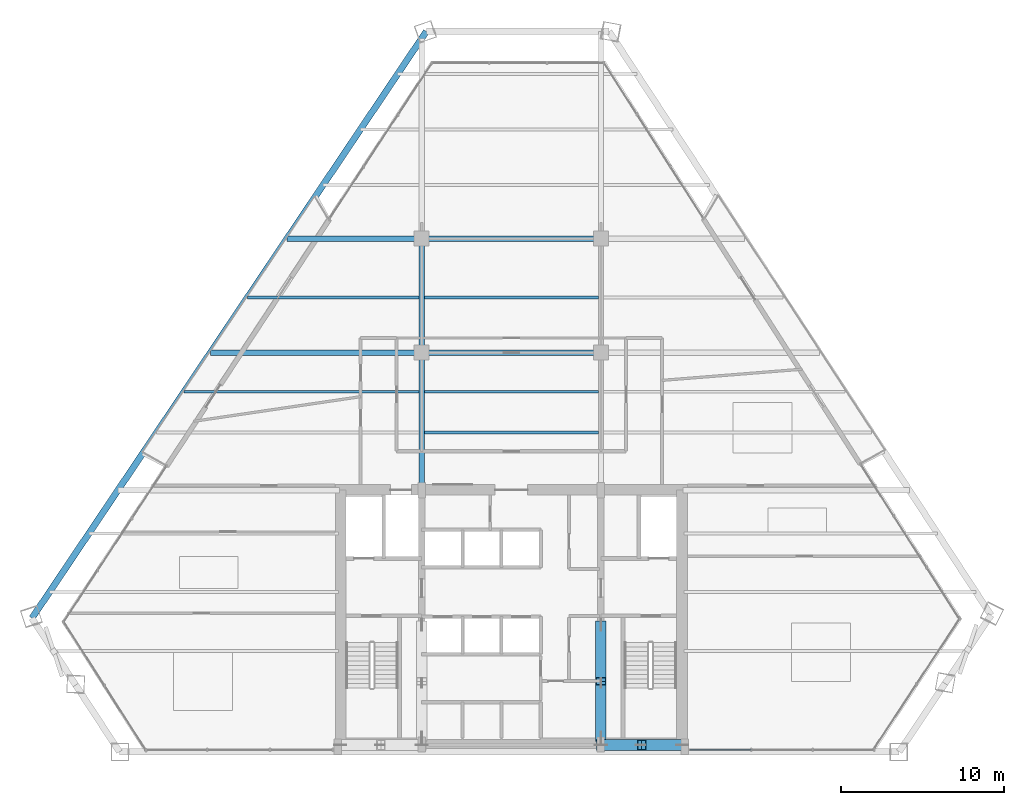
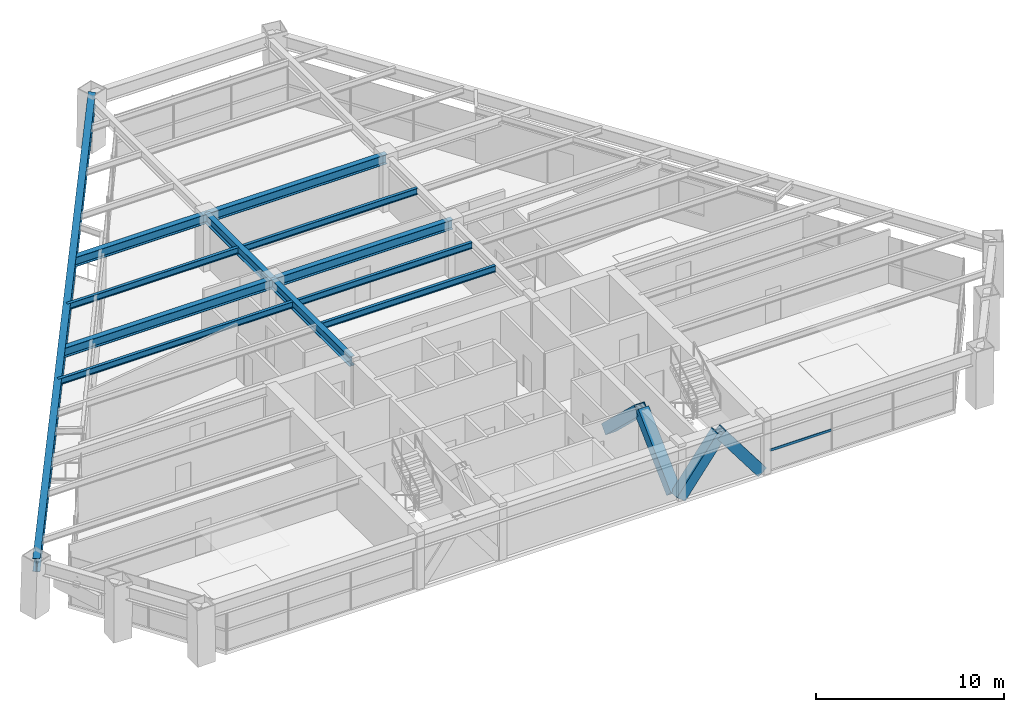
# One storey, part 5 of 14: 12 beams, 5 members, 1 element without a shape of its own.
"""IFC4 building model written with IfcOpenShell, lengths in metres."""

from ifc_helpers import new_model, si_unit, direction, frame, origin, origin_2d, place, context, subcontext, project, spatial, rectangle, hollow_rectangle, i_section, extrude, source, transform, mapped, material, material_profile, profile_set, type_object, type_shapes, element, aggregate, save


model = new_model("IFC4")

# Units and contexts
model_context = context("Model", 3, precision=1e-05, world=origin(), true_north=direction((0.0, 1.0)))
body_context = subcontext(model_context, "Body", "Model", "MODEL_VIEW")
ifc_project = project(units=[si_unit("LENGTHUNIT", "METRE"), si_unit("AREAUNIT", "SQUARE_METRE"), si_unit("VOLUMEUNIT", "CUBIC_METRE"), si_unit("PLANEANGLEUNIT", "RADIAN"), si_unit("MASSUNIT", "GRAM", prefix="KILO")], contexts=[model_context])

# Site, building, storey
site_placement = place(None, origin())
site = spatial("IfcSite", under=ifc_project, at=site_placement, CompositionType="ELEMENT")
building_placement = place(site_placement, origin())
building = spatial("IfcBuilding", under=site, at=building_placement, Name="Varnakhor Terracotta Tower", CompositionType="ELEMENT")
storey_placement = place(building_placement, frame((0.0, 0.0, 125.60009765625)))
storey = spatial("IfcBuildingStorey", under=building, at=storey_placement, Name="L31", CompositionType="ELEMENT", Elevation=125.60009765625)

# Beams
ifc_material_1 = material(Name="Steel S355", Category="steel")
ifc_material_profile_1 = material_profile(ifc_material_1, i_section(OverallWidth=0.324951171875, OverallDepth=0.615966796875, WebThickness=0.013916015625, FlangeThickness=0.02197265625, FilletRadius=0.01806640625, at=origin_2d()), Name="W24X117")
ifc_profile_set_1 = profile_set([ifc_material_profile_1], Name="Steel S355")
beam_type_1 = type_object("IfcBeamType", Name="BM-W24X117", PredefinedType="BEAM", material=ifc_profile_set_1)
shared_shape_1 = source(origin(), body_context, "Body", "SweptSolid", [
    extrude(i_section(OverallWidth=0.324951171875, OverallDepth=0.615966796875, WebThickness=0.013916015625, FlangeThickness=0.02197265625, FilletRadius=0.01806640625, at=origin_2d()), origin(), (0.0, 0.0, 1.0), 8.449951171875),
])
type_shapes(beam_type_1, [shared_shape_1])
beam_1_placement = place(storey_placement, frame((-5.5, 16.050048828125, 3.161865234375), z_axis=(0.0, 1.0, 0.0), x_axis=(-1.0, 0.0, 0.0)))
element("IfcBeam", 1, at=beam_1_placement, inside=storey, type_object=beam_type_1, Name="L31 Primary Girder NS1-W", PredefinedType="BEAM", context=body_context, shape_type="MappedRepresentation", body=[
    mapped(shared_shape_1, transform((0.0, 0.0, 0.0), scale=1.0)),
])
shared_shape_2 = source(origin(), body_context, "Body", "SweptSolid", [
    extrude(i_section(OverallWidth=0.324951171875, OverallDepth=0.615966796875, WebThickness=0.013916015625, FlangeThickness=0.02197265625, FilletRadius=0.01806640625, at=origin_2d()), origin(), (0.0, 0.0, 1.0), 7.0),
])
beam_2_placement = place(storey_placement, frame((-5.5, 24.5, 3.161865234375), z_axis=(0.0, 1.0, 0.0), x_axis=(-1.0, 0.0, 0.0)))
element("IfcBeam", 2, at=beam_2_placement, inside=storey, type_object=beam_type_1, Name="L31 Primary Girder NS2-W", PredefinedType="BEAM", context=body_context, shape_type="MappedRepresentation", body=[
    mapped(shared_shape_2, transform((0.0, 0.0, 0.0), scale=1.0)),
])
shared_shape_3 = source(origin(), body_context, "Body", "SweptSolid", [
    extrude(i_section(OverallWidth=0.324951171875, OverallDepth=0.615966796875, WebThickness=0.013916015625, FlangeThickness=0.02197265625, FilletRadius=0.01806640625, at=origin_2d()), origin(), (0.0, 0.0, 1.0), 11.0),
])
for number, where, z_axis, x_axis, name in (
    (3, (-5.5, 24.5, 3.161865234375), (1.0, 0.0, 0.0), (0.0, 1.0, 0.0), "L31 Primary Girder EW2-2"),
    (4, (-5.5, 31.5, 3.161865234375), (1.0, 0.0, 0.0), (0.0, 1.0, 0.0), "L31 Primary Girder EW3-2"),
):
    element("IfcBeam", number, at=place(storey_placement, frame(where, z_axis=z_axis, x_axis=x_axis)), inside=storey, type_object=beam_type_1, Name=name, PredefinedType="BEAM", context=body_context, shape_type="MappedRepresentation", body=[
        mapped(shared_shape_3, transform((0.0, 0.0, 0.0), scale=1.0)),
    ])
ifc_material_profile_2 = material_profile(ifc_material_1, i_section(OverallWidth=0.179931640625, OverallDepth=0.4130859375, WebThickness=0.009765625, FlangeThickness=0.01611328125, FilletRadius=0.01806640625, at=origin_2d()), Name="W16X50")
ifc_profile_set_2 = profile_set([ifc_material_profile_2], Name="Steel S355")
beam_type_2 = type_object("IfcBeamType", Name="JST-W16X50", PredefinedType="JOIST", material=ifc_profile_set_2)
shared_shape_4 = source(origin(), body_context, "Body", "SweptSolid", [
    extrude(i_section(OverallWidth=0.179931640625, OverallDepth=0.4130859375, WebThickness=0.009765625, FlangeThickness=0.01611328125, FilletRadius=0.01806640625, at=origin_2d()), origin(), (0.0, 0.0, 1.0), 10.68310546875),
])
for number, where, z_axis, x_axis, name in (
    (5, (-5.341552734375, 19.60009765625, 3.263427734375), (1.0, 0.0, 0.0), (0.0, 1.0, 0.0), "L31 Composite Floor Joist 4-2"),
    (6, (-5.341552734375, 22.10009765625, 3.263427734375), (1.0, 0.0, 0.0), (0.0, 1.0, 0.0), "L31 Composite Floor Joist 5-2"),
    (7, (-5.341552734375, 27.89990234375, 3.263427734375), (1.0, 0.0, 0.0), (0.0, 1.0, 0.0), "L31 Composite Floor Joist 6-2"),
):
    element("IfcBeam", number, at=place(storey_placement, frame(where, z_axis=z_axis, x_axis=x_axis)), inside=storey, type_object=beam_type_2, Name=name, PredefinedType="JOIST", context=body_context, shape_type="MappedRepresentation", body=[
        mapped(shared_shape_4, transform((0.0, 0.0, 0.0), scale=1.0)),
    ])
ifc_material_profile_3 = material_profile(ifc_material_1, i_section(OverallWidth=0.39990234375, OverallDepth=0.85498046875, WebThickness=0.01806640625, FlangeThickness=0.029052734375, FilletRadius=0.01806640625, at=origin_2d()), Name="W33X201")
ifc_profile_set_3 = profile_set([ifc_material_profile_3], Name="Steel S355")
beam_type_3 = type_object("IfcBeamType", Name="BM-W33X201", PredefinedType="BEAM", material=ifc_profile_set_3)
shared_shape_5 = source(origin(), body_context, "Body", "SweptSolid", [
    extrude(i_section(OverallWidth=0.39990234375, OverallDepth=0.85498046875, WebThickness=0.01806640625, FlangeThickness=0.029052734375, FilletRadius=0.01806640625, at=origin_2d()), origin(), (0.0, 0.0, 1.0), 43.3974609375),
])
beam_3_placement = place(storey_placement, frame((-5.21484375, 44.220947265625, 3.04248046875), z_axis=(-0.557819837706, -0.829962064592, 0.0), x_axis=(0.829962064592, -0.557819837706, 0.0)))
element("IfcBeam", 8, at=beam_3_placement, inside=storey, type_object=beam_type_3, Name="L31 Perimeter Spandrel 6", PredefinedType="BEAM", context=body_context, shape_type="MappedRepresentation", body=[
    mapped(shared_shape_5, transform((0.0, 0.0, 0.0), scale=1.0)),
])
shared_shape_6 = source(origin(), body_context, "Body", "SweptSolid", [
    extrude(i_section(OverallWidth=0.324951171875, OverallDepth=0.615966796875, WebThickness=0.013916015625, FlangeThickness=0.02197265625, FilletRadius=0.01806640625, at=origin_2d()), origin(), (0.0, 0.0, 1.0), 12.96923828125),
])
beam_4_placement = place(storey_placement, frame((-18.46923828125, 24.5, 3.161865234375), z_axis=(1.0, 0.0, 0.0), x_axis=(0.0, 1.0, 0.0)))
element("IfcBeam", 9, at=beam_4_placement, inside=storey, type_object=beam_type_1, Name="L31 Primary Girder EW2-1", PredefinedType="BEAM", context=body_context, shape_type="MappedRepresentation", body=[
    mapped(shared_shape_6, transform((0.0, 0.0, 0.0), scale=1.0)),
])
shared_shape_7 = source(origin(), body_context, "Body", "SweptSolid", [
    extrude(i_section(OverallWidth=0.324951171875, OverallDepth=0.615966796875, WebThickness=0.013916015625, FlangeThickness=0.02197265625, FilletRadius=0.01806640625, at=origin_2d()), origin(), (0.0, 0.0, 1.0), 8.2646484375),
])
beam_5_placement = place(storey_placement, frame((-13.7646484375, 31.5, 3.161865234375), z_axis=(1.0, 0.0, 0.0), x_axis=(0.0, 1.0, 0.0)))
element("IfcBeam", 10, at=beam_5_placement, inside=storey, type_object=beam_type_1, Name="L31 Primary Girder EW3-1", PredefinedType="BEAM", context=body_context, shape_type="MappedRepresentation", body=[
    mapped(shared_shape_7, transform((0.0, 0.0, 0.0), scale=1.0)),
])
shared_shape_8 = source(origin(), body_context, "Body", "SweptSolid", [
    extrude(i_section(OverallWidth=0.179931640625, OverallDepth=0.4130859375, WebThickness=0.009765625, FlangeThickness=0.01611328125, FilletRadius=0.01806640625, at=origin_2d()), origin(), (0.0, 0.0, 1.0), 14.424072265625),
])
beam_6_placement = place(storey_placement, frame((-20.08251953125, 22.10009765625, 3.263427734375), z_axis=(1.0, 0.0, 0.0), x_axis=(0.0, 1.0, 0.0)))
element("IfcBeam", 11, at=beam_6_placement, inside=storey, type_object=beam_type_2, Name="L31 Composite Floor Joist 5-1", PredefinedType="JOIST", context=body_context, shape_type="MappedRepresentation", body=[
    mapped(shared_shape_8, transform((0.0, 0.0, 0.0), scale=1.0)),
])
shared_shape_9 = source(origin(), body_context, "Body", "SweptSolid", [
    extrude(i_section(OverallWidth=0.179931640625, OverallDepth=0.4130859375, WebThickness=0.009765625, FlangeThickness=0.01611328125, FilletRadius=0.01806640625, at=origin_2d()), origin(), (0.0, 0.0, 1.0), 10.525634765625),
])
beam_7_placement = place(storey_placement, frame((-16.18408203125, 27.89990234375, 3.263427734375), z_axis=(1.0, 0.0, 0.0), x_axis=(0.0, 1.0, 0.0)))
element("IfcBeam", 12, at=beam_7_placement, inside=storey, type_object=beam_type_2, Name="L31 Composite Floor Joist 6-1", PredefinedType="JOIST", context=body_context, shape_type="MappedRepresentation", body=[
    mapped(shared_shape_9, transform((0.0, 0.0, 0.0), scale=1.0)),
])

# Members
ifc_material_2 = material(Name="Steel S460", Category="steel")
ifc_material_profile_4 = material_profile(ifc_material_2, hollow_rectangle(XDim=0.64990234375, YDim=0.64990234375, WallThickness=0.0400390625, at=origin_2d()), Name="HSS650X650X40")
ifc_profile_set_4 = profile_set([ifc_material_profile_4], Name="Steel S460")
member_type_1 = type_object("IfcMemberType", Name="MBR-MEGA-650", PredefinedType="BRACE", material=ifc_profile_set_4)
shared_shape_10 = source(origin(), body_context, "Body", "SweptSolid", [
    extrude(hollow_rectangle(XDim=0.64990234375, YDim=0.64990234375, WallThickness=0.0400390625, at=origin_2d()), origin(), (0.0, 0.0, 1.0), 4.15576171875),
])
for number, where, z_axis, x_axis, name in (
    (13, (5.5, 0.419921875, 0.0), (0.601559152872, 0.0, 0.798828257886), (0.0, 1.0, 0.0), "L31 Core Coupled Brace CSEA"),
    (14, (10.5, 0.419921875, 0.0), (-0.601559152872, 0.0, 0.798828257886), (0.0, -1.0, 0.0), "L31 Core Coupled Brace CSEB"),
):
    element("IfcMember", number, at=place(storey_placement, frame(where, z_axis=z_axis, x_axis=x_axis)), inside=storey, type_object=member_type_1, Name=name, PredefinedType="BRACE", context=body_context, shape_type="MappedRepresentation", body=[
        mapped(shared_shape_10, transform((0.0, 0.0, 0.0), scale=1.0)),
    ])
shared_shape_11 = source(origin(), body_context, "Body", "SweptSolid", [
    extrude(hollow_rectangle(XDim=0.64990234375, YDim=0.64990234375, WallThickness=0.0400390625, at=origin_2d()), origin(), (0.0, 0.0, 1.0), 4.805908203125),
])
for number, where, z_axis, x_axis, name in (
    (15, (5.5, 0.85009765625, 0.0), (0.0, 0.72305215055, 0.690793447845), (-1.0, 0.0, 0.0), "L31 Core Coupled Brace CWEA"),
    (16, (5.5, 7.800048828125, 0.0), (0.0, -0.723076391278, 0.690768074231), (1.0, 0.0, 0.0), "L31 Core Coupled Brace CWEB"),
):
    element("IfcMember", number, at=place(storey_placement, frame(where, z_axis=z_axis, x_axis=x_axis)), inside=storey, type_object=member_type_1, Name=name, PredefinedType="BRACE", context=body_context, shape_type="MappedRepresentation", body=[
        mapped(shared_shape_11, transform((0.0, 0.0, 0.0), scale=1.0)),
    ])

# Curtain wall, member
ifc_material_3 = material(Name="Anodised Aluminium Curtain Wall System", Category="aluminium")
curtain_wall_type = type_object("IfcCurtainWallType", Name="CW-SYS-MID-OFFICE", PredefinedType="NOTDEFINED", material=ifc_material_3)
curtain_wall_placement = place(storey_placement, origin())
curtain_wall = element("IfcCurtainWall", 17, at=curtain_wall_placement, inside=storey, type_object=curtain_wall_type, Name="L31 South Wing Curtain Wall SSE", PredefinedType="NOTDEFINED")
ifc_material_4 = material(Name="Anodised Aluminium 6063-T6", Category="aluminium")
ifc_material_profile_5 = material_profile(ifc_material_4, rectangle(XDim=0.070068359375, YDim=0.155029296875, at=origin_2d()), Name="ALU TRANSOM 70x155")
ifc_profile_set_5 = profile_set([ifc_material_profile_5], Name="Anodised Aluminium 6063-T6")
member_type_2 = type_object("IfcMemberType", Name="CWT-03", PredefinedType="USERDEFINED", material=ifc_profile_set_5)
shared_shape_12 = source(origin(), body_context, "Body", "SweptSolid", [
    extrude(rectangle(XDim=0.070068359375, YDim=0.155029296875, at=origin_2d()), origin(), (0.0, 0.0, 1.0), 3.767578125),
])
member_placement = place(storey_placement, frame((14.737548828125, 0.1201171875, 1.281005859375), z_axis=(-1.0, 0.0, 0.0), x_axis=(0.0, -1.0, 0.0)))
member = element("IfcMember", 18, at=member_placement, type_object=member_type_2, Name="L31 South Wing Curtain Wall SSE Transom 3", ObjectType="TRANSOM", PredefinedType="USERDEFINED", context=body_context, shape_type="MappedRepresentation", body=[
    mapped(shared_shape_12, transform((0.0, 0.0, 0.0), scale=1.0)),
])
aggregate(curtain_wall, [member])

save(model, "model.ifc")
